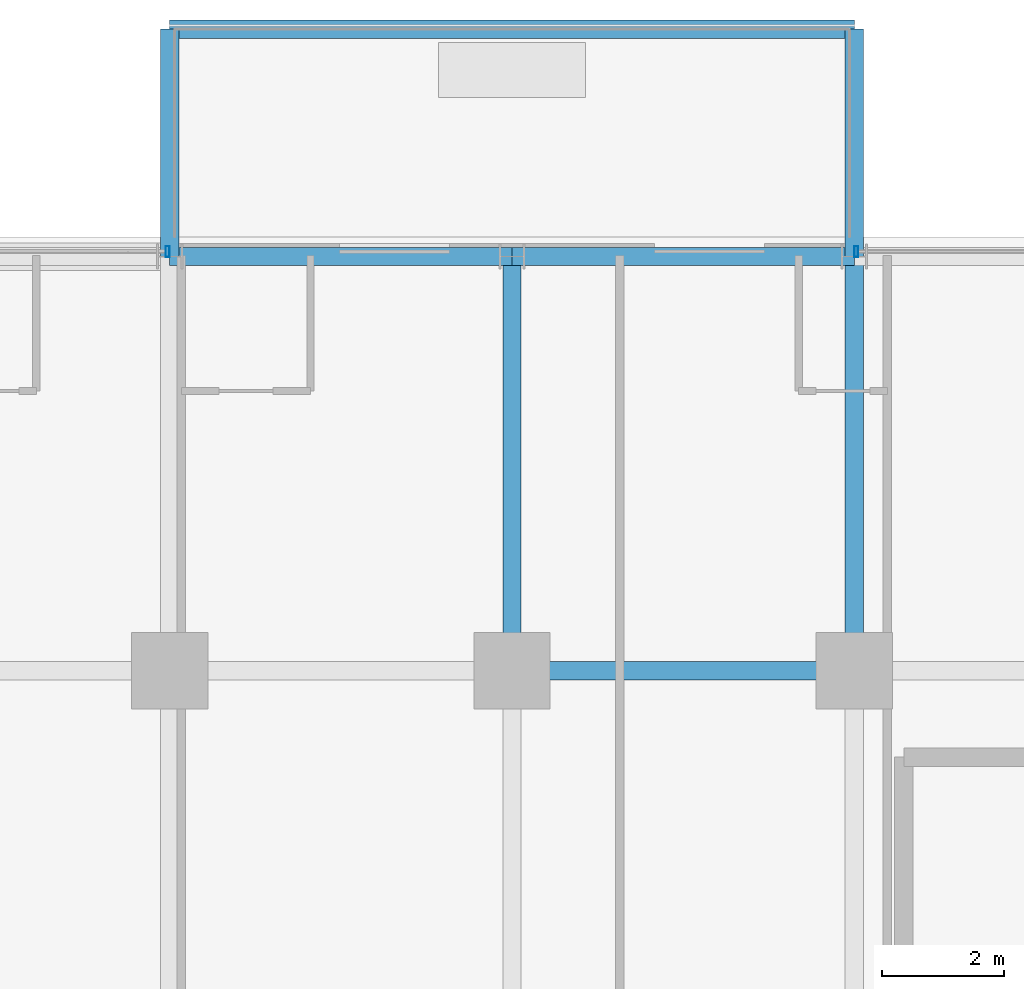
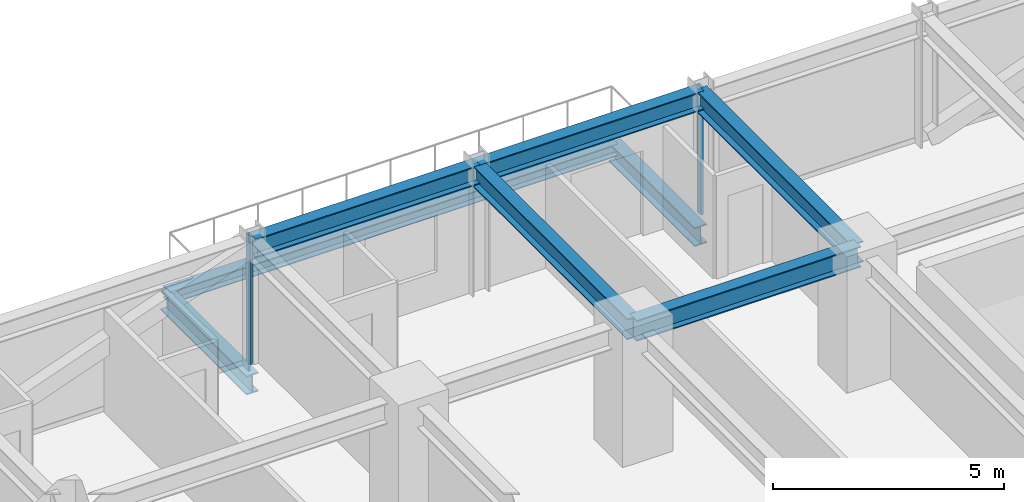
# One storey, part 20 of 40: 8 beams, 2 members, 2 elements without a shape of their own.
"""IFC4 building model written with IfcOpenShell, lengths in metres."""

import ifcopenshell
import ifcopenshell.guid

model = None  # the IFC model being written
_history = None  # IfcOwnerHistory: only IFC2X3 demands one
_inside = {}  # id of a spatial element -> (the spatial element, [elements in it])
_under = {}  # id of a project, library or spatial element -> (it, [spatial elements below it])
_declared = {}  # id of a project -> (the project, [libraries it declares])
_typed = {}  # id of a type object -> (the type object, [elements of that type])
_made_of = {}  # id of a material, layer set ... -> (it, [elements and type objects made of it])


def new_model(schema):
    """Start an empty IFC model of exactly this schema.

    Asked for "IFC4X3", IfcOpenShell would pick the latest addendum, in which some entities
    have other attributes; the version numbers below select the first issue.
    IFC2X3 requires an IfcOwnerHistory on every rooted entity: one is made here for all.
    """
    global model, _history
    if schema == "IFC4X3":
        model = ifcopenshell.file(schema_version=(4, 3, 0, 0))
    else:
        model = ifcopenshell.file(schema=schema)
    _inside.clear()
    _under.clear()
    _declared.clear()
    _typed.clear()
    _made_of.clear()
    _history = None
    if model.schema == "IFC2X3":
        org = make("IfcOrganization", Name="unknown")
        user = make(
            "IfcPersonAndOrganization",
            ThePerson=make("IfcPerson", FamilyName="unknown"),
            TheOrganization=org,
        )
        app = make(
            "IfcApplication",
            ApplicationDeveloper=org,
            Version="unknown",
            ApplicationFullName="unknown",
            ApplicationIdentifier="unknown",
        )
        _history = make(
            "IfcOwnerHistory",
            OwningUser=user,
            OwningApplication=app,
            ChangeAction="ADDED",
            CreationDate=0,
        )
    return model


def make(cls, **values):
    """One entity of the class cls with the attributes given. An attribute that is None is left unset."""
    return model.create_entity(
        cls, **{name: value for name, value in values.items() if value is not None}
    )


def rooted(cls, **values):
    """An entity with a GlobalId (a new one), such as an element, a storey or a relation."""
    return make(cls, GlobalId=ifcopenshell.guid.new(), OwnerHistory=_history, **values)


def si_unit(unit_type, name, prefix=None):
    """IfcSIUnit, for example si_unit("LENGTHUNIT", "METRE", prefix="MILLI")."""
    return make("IfcSIUnit", UnitType=unit_type, Prefix=prefix, Name=name)


def assignment(units):
    """IfcUnitAssignment: the units of a project."""
    return None if units is None else make("IfcUnitAssignment", Units=units)


def point(xyz):
    """IfcCartesianPoint."""
    return None if xyz is None else make("IfcCartesianPoint", Coordinates=xyz)


def direction(xyz):
    """IfcDirection."""
    return None if xyz is None else make("IfcDirection", DirectionRatios=xyz)


def frame(location, z_axis=None, x_axis=None):
    """IfcAxis2Placement3D, a coordinate frame: its origin and axes. An axis left out is left unset."""
    return make(
        "IfcAxis2Placement3D",
        Location=point(location),
        Axis=direction(z_axis),
        RefDirection=direction(x_axis),
    )


def frame_2d(location, x_axis=None):
    """IfcAxis2Placement2D, a coordinate frame in the plane: its origin and x axis."""
    return make(
        "IfcAxis2Placement2D", Location=point(location), RefDirection=direction(x_axis)
    )


def origin():
    """The frame at (0, 0, 0) with its axes left unset."""
    return frame((0.0, 0.0, 0.0))


def origin_2d():
    """The frame at (0, 0) in the plane with its x axis left unset."""
    return frame_2d((0.0, 0.0))


def place(relative_to, where):
    """IfcLocalPlacement: puts the frame where relative to a parent placement (None: the world)."""
    return make(
        "IfcLocalPlacement", PlacementRelTo=relative_to, RelativePlacement=where
    )


def context(
    kind, dimensions, precision=None, world=None, true_north=None, identifier=None
):
    """IfcGeometricRepresentationContext, for example the 3D "Model" context."""
    return make(
        "IfcGeometricRepresentationContext",
        ContextIdentifier=identifier,
        ContextType=kind,
        CoordinateSpaceDimension=dimensions,
        Precision=precision,
        WorldCoordinateSystem=world,
        TrueNorth=true_north,
    )


def subcontext(parent, identifier, kind, view, scale=None):
    """IfcGeometricRepresentationSubContext, for example "Body" below "Model"."""
    return make(
        "IfcGeometricRepresentationSubContext",
        ContextIdentifier=identifier,
        ContextType=kind,
        ParentContext=parent,
        TargetScale=scale,
        TargetView=view,
    )


def project(units=None, contexts=None):
    """IfcProject with its units and contexts."""
    return rooted(
        "IfcProject",
        Name="project",
        RepresentationContexts=contexts,
        UnitsInContext=assignment(units),
    )


def spatial(cls, under=None, at=None, **own):
    """A site, building, storey or space (cls), placed at a placement, below another one or the project."""
    s = rooted(cls, ObjectPlacement=at, **own)
    if under is not None:
        _under.setdefault(under.id(), (under, []))[1].append(s)
    return s


def profile(cls, at=None, kind="AREA", **sizes):
    """A parametric profile (cls). Its sizes go by their IFC names, for example OverallWidth=200.0."""
    return make(cls, ProfileType=kind, Position=at, **sizes)


def hollow_rectangle(**sizes):
    """IfcRectangleHollowProfileDef."""
    return profile("IfcRectangleHollowProfileDef", **sizes)


def i_section(**sizes):
    """IfcIShapeProfileDef."""
    return profile("IfcIShapeProfileDef", **sizes)


def extrude(swept, where, along, depth):
    """IfcExtrudedAreaSolid: the profile swept, set in the frame where, extruded along a direction by depth."""
    return make(
        "IfcExtrudedAreaSolid",
        SweptArea=swept,
        Position=where,
        ExtrudedDirection=direction(along),
        Depth=depth,
    )


def shape(context_of_items, identifier, shape_type, items):
    """IfcShapeRepresentation: the items that make up one representation, for example the "Body"."""
    return make(
        "IfcShapeRepresentation",
        ContextOfItems=context_of_items,
        RepresentationIdentifier=identifier,
        RepresentationType=shape_type,
        Items=items,
    )


def source(mapping_origin, context_of_items, identifier, shape_type, items):
    """IfcRepresentationMap: a shape defined once, which mapped items show again and again."""
    return make(
        "IfcRepresentationMap",
        MappingOrigin=mapping_origin,
        MappedRepresentation=shape(context_of_items, identifier, shape_type, items),
    )


def transform(
    local_origin,
    x_axis=None,
    y_axis=None,
    z_axis=None,
    scale=None,
    scale2=None,
    scale3=None,
    uniform=True,
):
    """IfcCartesianTransformationOperator3D, or its non-uniform kind. x_axis, y_axis, z_axis: its Axis1, 2, 3."""
    if uniform:
        return make(
            "IfcCartesianTransformationOperator3D",
            Axis1=direction(x_axis),
            Axis2=direction(y_axis),
            LocalOrigin=point(local_origin),
            Scale=scale,
            Axis3=direction(z_axis),
        )
    return make(
        "IfcCartesianTransformationOperator3DnonUniform",
        Axis1=direction(x_axis),
        Axis2=direction(y_axis),
        LocalOrigin=point(local_origin),
        Scale=scale,
        Axis3=direction(z_axis),
        Scale2=scale2,
        Scale3=scale3,
    )


def mapped(mapping_source, mapping_target):
    """IfcMappedItem: shows the shape of a source again, moved by a transform."""
    return make(
        "IfcMappedItem", MappingSource=mapping_source, MappingTarget=mapping_target
    )


def material(Name=None, Category=None):
    """IfcMaterial."""
    return make("IfcMaterial", Name=Name, Category=Category)


def material_profile(
    of_material, cross_section, Name=None, Category=None, Priority=None
):
    """IfcMaterialProfile: a cross section and its material."""
    return make(
        "IfcMaterialProfile",
        Name=Name,
        Material=of_material,
        Profile=cross_section,
        Priority=Priority,
        Category=Category,
    )


def profile_set(profiles, Name=None, composite=None):
    """IfcMaterialProfileSet."""
    return make(
        "IfcMaterialProfileSet",
        Name=Name,
        MaterialProfiles=profiles,
        CompositeProfile=composite,
    )


def made_of(thing, what):
    """Note that an element or type object is made of a material, layer set ...; save() writes the relation."""
    if what is not None:
        _made_of.setdefault(what.id(), (what, []))[1].append(thing)
    return thing


def type_object(cls, material=None, **own):
    """A type object (cls), such as IfcWallType, which elements share."""
    return made_of(rooted(cls, **own), material)


def element(
    cls,
    number,
    at=None,
    inside=None,
    cuts=None,
    type_object=None,
    material=None,
    context=None,
    identifier="Body",
    shape_type=None,
    held_by="IfcProductDefinitionShape",
    body=None,
    shapes=None,
    **own,
):
    """One element of the class cls, such as IfcWall. Its Tag is "e" and its number.

    at: its placement. inside: the storey or other place that contains it. cuts: it is an
    opening in that element (IfcRelVoidsElement). A single representation is given by context,
    identifier, shape_type and body (its items); several are given by shapes. held_by: the class
    of the entity that holds the representations. save() writes the other relations.
    """
    e = rooted(cls, Tag="e%d" % number, ObjectPlacement=at, **own)
    if body is not None:
        shapes = [shape(context, identifier, shape_type, body)]
    if shapes is not None:
        e.Representation = make(held_by, Representations=shapes)
    if inside is not None:
        _inside.setdefault(inside.id(), (inside, []))[1].append(e)
    if cuts is not None:
        rooted(
            "IfcRelVoidsElement", RelatingBuildingElement=cuts, RelatedOpeningElement=e
        )
    if type_object is not None:
        _typed.setdefault(type_object.id(), (type_object, []))[1].append(e)
    return made_of(e, material)


def aggregate(whole, parts):
    """IfcRelAggregates: a whole, such as a stair, and the parts it consists of."""
    return rooted("IfcRelAggregates", RelatingObject=whole, RelatedObjects=parts)


def save(model, path):
    """Write the relations noted so far, then the file.

    IfcRelAggregates (storeys below a building ...), IfcRelContainedInSpatialStructure (elements
    in a storey), IfcRelDefinesByType, IfcRelAssociatesMaterial and IfcRelDeclares: one each for
    every whole, place, type object, material and project.
    """
    for whole, parts in _under.values():
        aggregate(whole, parts)
    for where, things in _inside.values():
        rooted(
            "IfcRelContainedInSpatialStructure",
            RelatedElements=things,
            RelatingStructure=where,
        )
    for kind, things in _typed.values():
        rooted("IfcRelDefinesByType", RelatedObjects=things, RelatingType=kind)
    for what, things in _made_of.values():
        rooted("IfcRelAssociatesMaterial", RelatedObjects=things, RelatingMaterial=what)
    for by, libraries in _declared.values():
        rooted("IfcRelDeclares", RelatingContext=by, RelatedDefinitions=libraries)
    model.write(path)


model = new_model("IFC4")

# Units and contexts
model_context = context("Model", 3, precision=1e-05, world=origin(), true_north=direction((0.0, 1.0)))
body_context = subcontext(model_context, "Body", "Model", "MODEL_VIEW")
ifc_project = project(units=[si_unit("LENGTHUNIT", "METRE"), si_unit("AREAUNIT", "SQUARE_METRE"), si_unit("VOLUMEUNIT", "CUBIC_METRE"), si_unit("PLANEANGLEUNIT", "RADIAN"), si_unit("MASSUNIT", "GRAM", prefix="KILO")], contexts=[model_context])

# Site, building, storey
site_placement = place(None, origin())
site = spatial("IfcSite", under=ifc_project, at=site_placement, CompositionType="ELEMENT")
building_placement = place(site_placement, origin())
building = spatial("IfcBuilding", under=site, at=building_placement, Name="Nahalor Promenade Grand Hotel", CompositionType="ELEMENT")
storey_placement = place(building_placement, frame((0.0, 0.0, 91.949951171875)))
storey = spatial("IfcBuildingStorey", under=building, at=storey_placement, Name="L22", CompositionType="ELEMENT", Elevation=91.949951171875)

# Beams
ifc_material_1 = material(Name="Steel S355JR", Category="steel")
ifc_material_profile_1 = material_profile(ifc_material_1, i_section(OverallWidth=0.3, OverallDepth=0.32, WebThickness=0.0115, FlangeThickness=0.0205, at=origin_2d()), Name="HEB 320")
ifc_profile_set_1 = profile_set([ifc_material_profile_1], Name="Steel S355JR")
beam_type_1 = type_object("IfcBeamType", Name="Beam-BalcEdge-HEB320", PredefinedType="SPANDREL", material=ifc_profile_set_1)
shared_shape_1 = source(origin(), body_context, "Body", "SweptSolid", [
    extrude(i_section(OverallWidth=0.3, OverallDepth=0.32, WebThickness=0.0115, FlangeThickness=0.0205, at=origin_2d()), origin(), (0.0, 0.0, 1.0), 11.199951171875),
])
beam_1_placement = place(storey_placement, frame((-8.39990234375, 27.5, -0.43994140625), z_axis=(1.0, 0.0, 0.0), x_axis=(0.0, 1.0, 0.0)))
element("IfcBeam", 1, at=beam_1_placement, inside=storey, type_object=beam_type_1, Name="BM-L22-BC-01-F", PredefinedType="SPANDREL", context=body_context, shape_type="MappedRepresentation", body=[
    mapped(shared_shape_1, transform((0.0, 0.0, 0.0), scale=1.0)),
])
ifc_material_profile_2 = material_profile(ifc_material_1, i_section(OverallWidth=0.3, OverallDepth=0.5, WebThickness=0.0145, FlangeThickness=0.028, at=origin_2d()), Name="HEB 500")
ifc_profile_set_2 = profile_set([ifc_material_profile_2], Name="Steel S355JR")
beam_type_2 = type_object("IfcBeamType", Name="Beam-Outrigger-HEB500", PredefinedType="BEAM", material=ifc_profile_set_2)
shared_shape_2 = source(origin(), body_context, "Body", "SweptSolid", [
    extrude(i_section(OverallWidth=0.3, OverallDepth=0.5, WebThickness=0.0145, FlangeThickness=0.028, at=origin_2d()), origin(), (0.0, 0.0, 1.0), 3.719970703125),
])
for number, where, z_axis, x_axis, name in (
    (2, (-8.39990234375, 23.780029296875, -0.530029296875), (0.0, 1.0, 0.0), (-1.0, 0.0, 0.0), "BM-L22-BC-01-1"),
    (3, (2.800048828125, 23.780029296875, -0.530029296875), (0.0, 1.0, 0.0), (-1.0, 0.0, 0.0), "BM-L22-BC-01-2"),
):
    element("IfcBeam", number, at=place(storey_placement, frame(where, z_axis=z_axis, x_axis=x_axis)), inside=storey, type_object=beam_type_2, Name=name, PredefinedType="BEAM", context=body_context, shape_type="MappedRepresentation", body=[
        mapped(shared_shape_2, transform((0.0, 0.0, 0.0), scale=1.0)),
    ])
ifc_material_profile_3 = material_profile(ifc_material_1, i_section(OverallWidth=0.3, OverallDepth=0.5, WebThickness=0.0145, FlangeThickness=0.028, at=origin_2d()), Name="HEB 500")
ifc_profile_set_3 = profile_set([ifc_material_profile_3], Name="Steel S355JR")
beam_type_3 = type_object("IfcBeamType", Name="Beam-Spandrel-HEB500", PredefinedType="SPANDREL", material=ifc_profile_set_3)
shared_shape_3 = source(origin(), body_context, "Body", "SweptSolid", [
    extrude(i_section(OverallWidth=0.3, OverallDepth=0.5, WebThickness=0.0145, FlangeThickness=0.028, at=origin_2d()), origin(), (0.0, 0.0, 1.0), 5.599853515625),
])
beam_2_placement = place(storey_placement, frame((-8.39990234375, 23.780029296875, 3.130126953125), z_axis=(1.0, 0.0, 0.0), x_axis=(0.0, 1.0, 0.0)))
element("IfcBeam", 4, at=beam_2_placement, inside=storey, type_object=beam_type_3, Name="BM-L22-SP-N-1", PredefinedType="SPANDREL", context=body_context, shape_type="MappedRepresentation", body=[
    mapped(shared_shape_3, transform((0.0, 0.0, 0.0), scale=1.0)),
])
shared_shape_4 = source(origin(), body_context, "Body", "SweptSolid", [
    extrude(i_section(OverallWidth=0.3, OverallDepth=0.5, WebThickness=0.0145, FlangeThickness=0.028, at=origin_2d()), origin(), (0.0, 0.0, 1.0), 5.60009765625),
])
beam_3_placement = place(storey_placement, frame((-2.800048828125, 23.780029296875, 3.130126953125), z_axis=(1.0, 0.0, 0.0), x_axis=(0.0, 1.0, 0.0)))
element("IfcBeam", 5, at=beam_3_placement, inside=storey, type_object=beam_type_3, Name="BM-L22-SP-N-2", PredefinedType="SPANDREL", context=body_context, shape_type="MappedRepresentation", body=[
    mapped(shared_shape_4, transform((0.0, 0.0, 0.0), scale=1.0)),
])
ifc_material_profile_4 = material_profile(ifc_material_1, i_section(OverallWidth=0.3, OverallDepth=0.55, WebThickness=0.015, FlangeThickness=0.029, at=origin_2d()), Name="HEB 550")
ifc_profile_set_4 = profile_set([ifc_material_profile_4], Name="Steel S355JR")
beam_type_4 = type_object("IfcBeamType", Name="Beam-Girder-HEB550", PredefinedType="BEAM", material=ifc_profile_set_4)
shared_shape_5 = source(origin(), body_context, "Body", "SweptSolid", [
    extrude(i_section(OverallWidth=0.3, OverallDepth=0.55, WebThickness=0.015, FlangeThickness=0.029, at=origin_2d()), origin(), (0.0, 0.0, 1.0), 6.780029296875),
])
for number, where, z_axis, x_axis, name in (
    (6, (-2.800048828125, 17.0, 3.10498046875), (0.0, 1.0, 0.0), (-1.0, 0.0, 0.0), "BM-L22-GY-2-4"),
    (7, (2.800048828125, 17.0, 3.10498046875), (0.0, 1.0, 0.0), (-1.0, 0.0, 0.0), "BM-L22-GY-3-4"),
):
    element("IfcBeam", number, at=place(storey_placement, frame(where, z_axis=z_axis, x_axis=x_axis)), inside=storey, type_object=beam_type_4, Name=name, PredefinedType="BEAM", context=body_context, shape_type="MappedRepresentation", body=[
        mapped(shared_shape_5, transform((0.0, 0.0, 0.0), scale=1.0)),
    ])
shared_shape_6 = source(origin(), body_context, "Body", "SweptSolid", [
    extrude(i_section(OverallWidth=0.3, OverallDepth=0.55, WebThickness=0.015, FlangeThickness=0.029, at=origin_2d()), origin(), (0.0, 0.0, 1.0), 5.60009765625),
])
beam_4_placement = place(storey_placement, frame((-2.800048828125, 17.0, 3.10498046875), z_axis=(1.0, 0.0, 0.0), x_axis=(0.0, 1.0, 0.0)))
element("IfcBeam", 8, at=beam_4_placement, inside=storey, type_object=beam_type_4, Name="BM-L22-GX-3-3", PredefinedType="BEAM", context=body_context, shape_type="MappedRepresentation", body=[
    mapped(shared_shape_6, transform((0.0, 0.0, 0.0), scale=1.0)),
])

# Curtain wall, member
ifc_material_2 = material(Name="Anodised Bronze Aluminium EN AW-6063 T6", Category="aluminium")
curtain_wall_type = type_object("IfcCurtainWallType", Name="CW2 Typical Hotel Flush Bronze Unitised Curtain Wall", PredefinedType="USERDEFINED", material=ifc_material_2)
curtain_wall_1_placement = place(storey_placement, origin())
curtain_wall_1 = element("IfcCurtainWall", 9, at=curtain_wall_1_placement, inside=storey, type_object=curtain_wall_type, Name="L22 Curtain Wall CW-L22-N-1", ObjectType="UNITISED_CURTAIN_WALL", PredefinedType="USERDEFINED")
ifc_material_profile_5 = material_profile(ifc_material_2, hollow_rectangle(XDim=0.065, YDim=0.18, WallThickness=0.004, at=origin_2d()), Name="CWM 65x180x4")
ifc_profile_set_5 = profile_set([ifc_material_profile_5], Name="Anodised Bronze Aluminium EN AW-6063 T6")
member_type = type_object("IfcMemberType", Name="CWM2 Typical Bronze Mullion 65x180", PredefinedType="MULLION", material=ifc_profile_set_5)
shared_shape_7 = source(origin(), body_context, "Body", "SweptSolid", [
    extrude(hollow_rectangle(XDim=0.065, YDim=0.18, WallThickness=0.004, at=origin_2d()), origin(), (0.0, 0.0, 1.0), 3.380126953125),
])
member_1_placement = place(storey_placement, frame((-8.4326171875, 23.860107421875, 0.0), z_axis=(0.0, 0.0, 1.0), x_axis=(1.0, 0.0, 0.0)))
member_1 = element("IfcMember", 10, at=member_1_placement, type_object=member_type, Name="CW-L22-N-1 Mullion 1", PredefinedType="MULLION", context=body_context, shape_type="MappedRepresentation", body=[
    mapped(shared_shape_7, transform((0.0, 0.0, 0.0), scale=1.0)),
])
aggregate(curtain_wall_1, [member_1])

curtain_wall_2_placement = place(storey_placement, origin())
curtain_wall_2 = element("IfcCurtainWall", 11, at=curtain_wall_2_placement, inside=storey, type_object=curtain_wall_type, Name="L22 Curtain Wall CW-L22-N-3", ObjectType="UNITISED_CURTAIN_WALL", PredefinedType="USERDEFINED")
member_2_placement = place(storey_placement, frame((2.83251953125, 23.860107421875, 0.0), z_axis=(0.0, 0.0, 1.0), x_axis=(1.0, 0.0, 0.0)))
member_2 = element("IfcMember", 12, at=member_2_placement, type_object=member_type, Name="CW-L22-N-3 Mullion 0", PredefinedType="MULLION", context=body_context, shape_type="MappedRepresentation", body=[
    mapped(shared_shape_7, transform((0.0, 0.0, 0.0), scale=1.0)),
])
aggregate(curtain_wall_2, [member_2])

save(model, "model.ifc")
